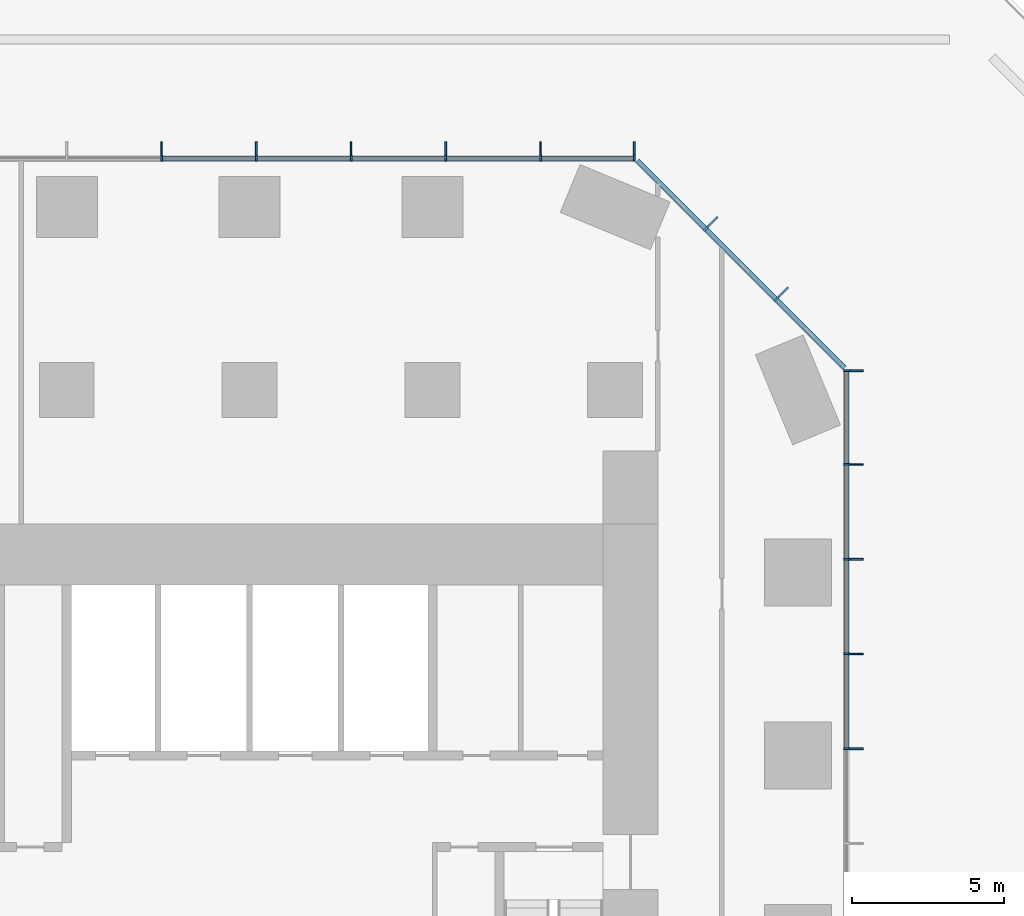
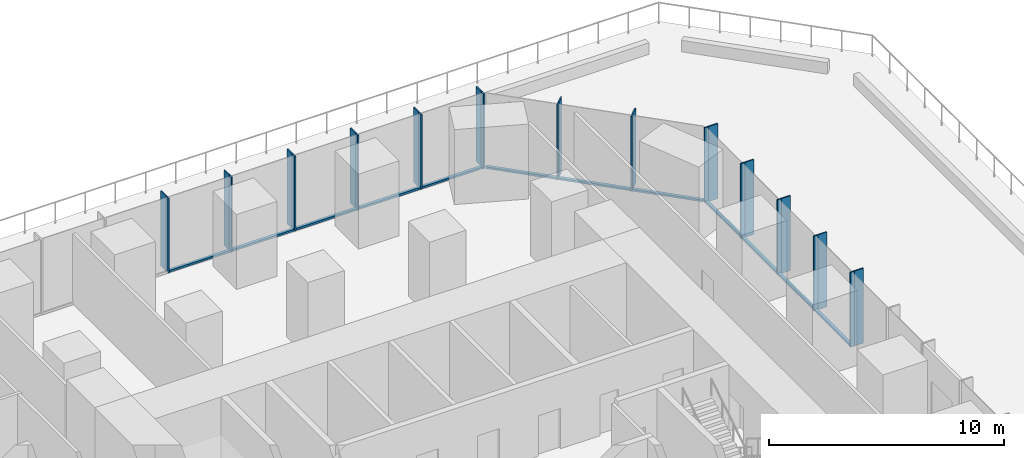
# One storey, part 6 of 11: 38 members, 3 elements without a shape of their own.
"""IFC4 building model written with IfcOpenShell, lengths in metres."""

from ifc_helpers import new_model, si_unit, direction, frame, origin, origin_2d, place, context, subcontext, project, spatial, rectangle, extrude, material, layer, layer_set, material_profile, profile_set, type_object, element, aggregate, save


model = new_model("IFC4")

# Units and contexts
model_context = context("Model", 3, precision=1e-05, world=origin(), true_north=direction((0.0, 1.0)))
body_context = subcontext(model_context, "Body", "Model", "MODEL_VIEW")
ifc_project = project(units=[si_unit("LENGTHUNIT", "METRE"), si_unit("AREAUNIT", "SQUARE_METRE"), si_unit("VOLUMEUNIT", "CUBIC_METRE"), si_unit("PLANEANGLEUNIT", "RADIAN"), si_unit("MASSUNIT", "GRAM", prefix="KILO")], contexts=[model_context])

# Site, building, storey
site_placement = place(None, origin())
site = spatial("IfcSite", under=ifc_project, at=site_placement, CompositionType="ELEMENT")
building_placement = place(site_placement, origin())
building = spatial("IfcBuilding", under=site, at=building_placement, Name="Highveld Stack Headquarters", CompositionType="ELEMENT")
storey_placement = place(building_placement, frame((0.0, 0.0, 18.199951171875)))
storey = spatial("IfcBuildingStorey", under=building, at=storey_placement, Name="L03", CompositionType="ELEMENT", Elevation=18.199951171875)

# Curtain wall, members
ifc_material_1 = material(Name="Aluminium bronze anodised", Category="aluminium")
ifc_layer_1 = layer(ifc_material_1, 0.199951171875)
ifc_layer_set_1 = layer_set([ifc_layer_1], Name="Aluminium bronze anodised")
curtain_wall_type_1 = type_object("IfcCurtainWallType", Name="CW1 TOWER UNITISED CURTAIN WALL", PredefinedType="NOTDEFINED", material=ifc_layer_set_1)
curtain_wall_1_placement = place(storey_placement, origin())
curtain_wall_1 = element("IfcCurtainWall", 1, at=curtain_wall_1_placement, inside=storey, type_object=curtain_wall_type_1, Name="Curtain wall CW1 L03 E-2", PredefinedType="NOTDEFINED")
ifc_material_2 = material(Name="Aluminium bronze anodised", Category="aluminium")
ifc_material_profile_1 = material_profile(ifc_material_2, rectangle(XDim=0.449951171875, YDim=0.06005859375, at=origin_2d()), Name="FIN 450x60")
ifc_profile_set_1 = profile_set([ifc_material_profile_1], Name="Aluminium bronze anodised")
member_type_1 = type_object("IfcMemberType", Name="CW1 BRONZE FIN 450x60", PredefinedType="USERDEFINED", material=ifc_profile_set_1)
member_1_placement = place(storey_placement, frame((25.925048828125, 6.220947265625, 0.0), z_axis=(0.0, 0.0, 1.0), x_axis=(-1.0, 0.0, 0.0)))
member_1 = element("IfcMember", 2, at=member_1_placement, type_object=member_type_1, Name="CW1 fin L03 3", ObjectType="FIN", PredefinedType="USERDEFINED", context=body_context, shape_type="SweptSolid", body=[
    extrude(rectangle(XDim=0.449951171875, YDim=0.06005859375, at=origin_2d()), origin(), (0.0, 0.0, 1.0), 3.900146484375),
])
member_2_placement = place(storey_placement, frame((25.925048828125, 9.331298828125, 0.0), z_axis=(0.0, 0.0, 1.0), x_axis=(-1.0, 0.0, 0.0)))
member_2 = element("IfcMember", 3, at=member_2_placement, type_object=member_type_1, Name="CW1 fin L03 4", ObjectType="FIN", PredefinedType="USERDEFINED", context=body_context, shape_type="SweptSolid", body=[
    extrude(rectangle(XDim=0.449951171875, YDim=0.06005859375, at=origin_2d()), origin(), (0.0, 0.0, 1.0), 3.900146484375),
])
member_3_placement = place(storey_placement, frame((25.925048828125, 12.44189453125, 0.0), z_axis=(0.0, 0.0, 1.0), x_axis=(-1.0, 0.0, 0.0)))
member_3 = element("IfcMember", 4, at=member_3_placement, type_object=member_type_1, Name="CW1 fin L03 5", ObjectType="FIN", PredefinedType="USERDEFINED", context=body_context, shape_type="SweptSolid", body=[
    extrude(rectangle(XDim=0.449951171875, YDim=0.06005859375, at=origin_2d()), origin(), (0.0, 0.0, 1.0), 3.900146484375),
])
member_4_placement = place(storey_placement, frame((25.925048828125, 15.55224609375, 0.0), z_axis=(0.0, 0.0, 1.0), x_axis=(-1.0, 0.0, 0.0)))
member_4 = element("IfcMember", 5, at=member_4_placement, type_object=member_type_1, Name="CW1 fin L03 6", ObjectType="FIN", PredefinedType="USERDEFINED", context=body_context, shape_type="SweptSolid", body=[
    extrude(rectangle(XDim=0.449951171875, YDim=0.06005859375, at=origin_2d()), origin(), (0.0, 0.0, 1.0), 3.900146484375),
])
member_5_placement = place(storey_placement, frame((25.925048828125, 18.630126953125, 0.0), z_axis=(0.0, 0.0, 1.0), x_axis=(-1.0, 0.0, 0.0)))
member_5 = element("IfcMember", 6, at=member_5_placement, type_object=member_type_1, Name="CW1 fin L03 7", ObjectType="FIN", PredefinedType="USERDEFINED", context=body_context, shape_type="SweptSolid", body=[
    extrude(rectangle(XDim=0.449951171875, YDim=0.06005859375, at=origin_2d()), origin(), (0.0, 0.0, 1.0), 3.900146484375),
])

curtain_wall_2_placement = place(storey_placement, origin())
curtain_wall_2 = element("IfcCurtainWall", 7, at=curtain_wall_2_placement, inside=storey, type_object=curtain_wall_type_1, Name="Curtain wall CW1 L03 N", PredefinedType="NOTDEFINED")
member_6_placement = place(storey_placement, frame((18.630126953125, 25.925048828125, 0.0), z_axis=(0.0, 0.0, 1.0), x_axis=(0.0, -1.0, 0.0)))
member_6 = element("IfcMember", 8, at=member_6_placement, type_object=member_type_1, Name="CW1 fin L03 1", ObjectType="FIN", PredefinedType="USERDEFINED", context=body_context, shape_type="SweptSolid", body=[
    extrude(rectangle(XDim=0.449951171875, YDim=0.06005859375, at=origin_2d()), origin(), (0.0, 0.0, 1.0), 3.900146484375),
])
member_7_placement = place(storey_placement, frame((15.55224609375, 25.925048828125, 0.0), z_axis=(0.0, 0.0, 1.0), x_axis=(0.0, -1.0, 0.0)))
member_7 = element("IfcMember", 9, at=member_7_placement, type_object=member_type_1, Name="CW1 fin L03 2", ObjectType="FIN", PredefinedType="USERDEFINED", context=body_context, shape_type="SweptSolid", body=[
    extrude(rectangle(XDim=0.449951171875, YDim=0.06005859375, at=origin_2d()), origin(), (0.0, 0.0, 1.0), 3.900146484375),
])
member_8_placement = place(storey_placement, frame((12.44189453125, 25.925048828125, 0.0), z_axis=(0.0, 0.0, 1.0), x_axis=(0.0, -1.0, 0.0)))
member_8 = element("IfcMember", 10, at=member_8_placement, type_object=member_type_1, Name="CW1 fin L03 3", ObjectType="FIN", PredefinedType="USERDEFINED", context=body_context, shape_type="SweptSolid", body=[
    extrude(rectangle(XDim=0.449951171875, YDim=0.06005859375, at=origin_2d()), origin(), (0.0, 0.0, 1.0), 3.900146484375),
])
member_9_placement = place(storey_placement, frame((9.331298828125, 25.925048828125, 0.0), z_axis=(0.0, 0.0, 1.0), x_axis=(0.0, -1.0, 0.0)))
member_9 = element("IfcMember", 11, at=member_9_placement, type_object=member_type_1, Name="CW1 fin L03 4", ObjectType="FIN", PredefinedType="USERDEFINED", context=body_context, shape_type="SweptSolid", body=[
    extrude(rectangle(XDim=0.449951171875, YDim=0.06005859375, at=origin_2d()), origin(), (0.0, 0.0, 1.0), 3.900146484375),
])
member_10_placement = place(storey_placement, frame((6.220947265625, 25.925048828125, 0.0), z_axis=(0.0, 0.0, 1.0), x_axis=(0.0, -1.0, 0.0)))
member_10 = element("IfcMember", 12, at=member_10_placement, type_object=member_type_1, Name="CW1 fin L03 5", ObjectType="FIN", PredefinedType="USERDEFINED", context=body_context, shape_type="SweptSolid", body=[
    extrude(rectangle(XDim=0.449951171875, YDim=0.06005859375, at=origin_2d()), origin(), (0.0, 0.0, 1.0), 3.900146484375),
])
member_11_placement = place(storey_placement, frame((3.110595703125, 25.925048828125, 0.0), z_axis=(0.0, 0.0, 1.0), x_axis=(0.0, -1.0, 0.0)))
member_11 = element("IfcMember", 13, at=member_11_placement, type_object=member_type_1, Name="CW1 fin L03 6", ObjectType="FIN", PredefinedType="USERDEFINED", context=body_context, shape_type="SweptSolid", body=[
    extrude(rectangle(XDim=0.449951171875, YDim=0.06005859375, at=origin_2d()), origin(), (0.0, 0.0, 1.0), 3.900146484375),
])

# Member
ifc_material_3 = material(Name="Aluminium bronze anodised", Category="aluminium")
ifc_material_profile_2 = material_profile(ifc_material_3, rectangle(XDim=0.199951171875, YDim=0.06494140625, at=origin_2d()), Name="CW1 MULLION 65x200")
ifc_profile_set_2 = profile_set([ifc_material_profile_2], Name="Aluminium bronze anodised")
member_type_2 = type_object("IfcMemberType", Name="CW1 MULLION 65x200", PredefinedType="MULLION", material=ifc_profile_set_2)
member_12_placement = place(storey_placement, frame((25.60009765625, 6.220947265625, 0.0), z_axis=(0.0, 0.0, 1.0), x_axis=(-1.0, 0.0, 0.0)))
member_12 = element("IfcMember", 14, at=member_12_placement, type_object=member_type_2, Name="CW1 mullion L03 3", PredefinedType="MULLION", context=body_context, shape_type="SweptSolid", body=[
    extrude(rectangle(XDim=0.199951171875, YDim=0.06494140625, at=origin_2d()), origin(), (0.0, 0.0, 1.0), 3.900146484375),
])

member_13_placement = place(storey_placement, frame((25.60009765625, 9.331298828125, 0.0), z_axis=(0.0, 0.0, 1.0), x_axis=(-1.0, 0.0, 0.0)))
member_13 = element("IfcMember", 15, at=member_13_placement, type_object=member_type_2, Name="CW1 mullion L03 4", PredefinedType="MULLION", context=body_context, shape_type="SweptSolid", body=[
    extrude(rectangle(XDim=0.199951171875, YDim=0.06494140625, at=origin_2d()), origin(), (0.0, 0.0, 1.0), 3.900146484375),
])

member_14_placement = place(storey_placement, frame((25.60009765625, 12.44189453125, 0.0), z_axis=(0.0, 0.0, 1.0), x_axis=(-1.0, 0.0, 0.0)))
member_14 = element("IfcMember", 16, at=member_14_placement, type_object=member_type_2, Name="CW1 mullion L03 5", PredefinedType="MULLION", context=body_context, shape_type="SweptSolid", body=[
    extrude(rectangle(XDim=0.199951171875, YDim=0.06494140625, at=origin_2d()), origin(), (0.0, 0.0, 1.0), 3.900146484375),
])

member_15_placement = place(storey_placement, frame((25.60009765625, 15.55224609375, 0.0), z_axis=(0.0, 0.0, 1.0), x_axis=(-1.0, 0.0, 0.0)))
member_15 = element("IfcMember", 17, at=member_15_placement, type_object=member_type_2, Name="CW1 mullion L03 6", PredefinedType="MULLION", context=body_context, shape_type="SweptSolid", body=[
    extrude(rectangle(XDim=0.199951171875, YDim=0.06494140625, at=origin_2d()), origin(), (0.0, 0.0, 1.0), 3.900146484375),
])

member_16_placement = place(storey_placement, frame((25.60009765625, 18.630126953125, 0.0), z_axis=(0.0, 0.0, 1.0), x_axis=(-1.0, 0.0, 0.0)))
member_16 = element("IfcMember", 18, at=member_16_placement, type_object=member_type_2, Name="CW1 mullion L03 7", PredefinedType="MULLION", context=body_context, shape_type="SweptSolid", body=[
    extrude(rectangle(XDim=0.199951171875, YDim=0.06494140625, at=origin_2d()), origin(), (0.0, 0.0, 1.0), 3.900146484375),
])

member_17_placement = place(storey_placement, frame((18.630126953125, 25.60009765625, 0.0), z_axis=(0.0, 0.0, 1.0), x_axis=(0.0, -1.0, 0.0)))
member_17 = element("IfcMember", 19, at=member_17_placement, type_object=member_type_2, Name="CW1 mullion L03 1", PredefinedType="MULLION", context=body_context, shape_type="SweptSolid", body=[
    extrude(rectangle(XDim=0.199951171875, YDim=0.06494140625, at=origin_2d()), origin(), (0.0, 0.0, 1.0), 3.900146484375),
])

member_18_placement = place(storey_placement, frame((15.55224609375, 25.60009765625, 0.0), z_axis=(0.0, 0.0, 1.0), x_axis=(0.0, -1.0, 0.0)))
member_18 = element("IfcMember", 20, at=member_18_placement, type_object=member_type_2, Name="CW1 mullion L03 2", PredefinedType="MULLION", context=body_context, shape_type="SweptSolid", body=[
    extrude(rectangle(XDim=0.199951171875, YDim=0.06494140625, at=origin_2d()), origin(), (0.0, 0.0, 1.0), 3.900146484375),
])

member_19_placement = place(storey_placement, frame((12.44189453125, 25.60009765625, 0.0), z_axis=(0.0, 0.0, 1.0), x_axis=(0.0, -1.0, 0.0)))
member_19 = element("IfcMember", 21, at=member_19_placement, type_object=member_type_2, Name="CW1 mullion L03 3", PredefinedType="MULLION", context=body_context, shape_type="SweptSolid", body=[
    extrude(rectangle(XDim=0.199951171875, YDim=0.06494140625, at=origin_2d()), origin(), (0.0, 0.0, 1.0), 3.900146484375),
])

member_20_placement = place(storey_placement, frame((9.331298828125, 25.60009765625, 0.0), z_axis=(0.0, 0.0, 1.0), x_axis=(0.0, -1.0, 0.0)))
member_20 = element("IfcMember", 22, at=member_20_placement, type_object=member_type_2, Name="CW1 mullion L03 4", PredefinedType="MULLION", context=body_context, shape_type="SweptSolid", body=[
    extrude(rectangle(XDim=0.199951171875, YDim=0.06494140625, at=origin_2d()), origin(), (0.0, 0.0, 1.0), 3.900146484375),
])

member_21_placement = place(storey_placement, frame((6.220947265625, 25.60009765625, 0.0), z_axis=(0.0, 0.0, 1.0), x_axis=(0.0, -1.0, 0.0)))
member_21 = element("IfcMember", 23, at=member_21_placement, type_object=member_type_2, Name="CW1 mullion L03 5", PredefinedType="MULLION", context=body_context, shape_type="SweptSolid", body=[
    extrude(rectangle(XDim=0.199951171875, YDim=0.06494140625, at=origin_2d()), origin(), (0.0, 0.0, 1.0), 3.900146484375),
])

member_22_placement = place(storey_placement, frame((3.110595703125, 25.60009765625, 0.0), z_axis=(0.0, 0.0, 1.0), x_axis=(0.0, -1.0, 0.0)))
member_22 = element("IfcMember", 24, at=member_22_placement, type_object=member_type_2, Name="CW1 mullion L03 6", PredefinedType="MULLION", context=body_context, shape_type="SweptSolid", body=[
    extrude(rectangle(XDim=0.199951171875, YDim=0.06494140625, at=origin_2d()), origin(), (0.0, 0.0, 1.0), 3.900146484375),
])

ifc_material_4 = material(Name="Aluminium bronze anodised", Category="aluminium")
ifc_material_profile_3 = material_profile(ifc_material_4, rectangle(XDim=0.14990234375, YDim=0.10009765625, at=origin_2d()), Name="CW1 TRANSOM 150x100")
ifc_profile_set_3 = profile_set([ifc_material_profile_3], Name="Aluminium bronze anodised")
member_type_3 = type_object("IfcMemberType", Name="CW1 STACK TRANSOM 150x100", PredefinedType="USERDEFINED", material=ifc_profile_set_3)
member_23_placement = place(storey_placement, frame((25.60009765625, 6.25341796875, 0.050048828125), z_axis=(0.0, 1.0, 0.0), x_axis=(-1.0, 0.0, 0.0)))
member_23 = element("IfcMember", 25, at=member_23_placement, type_object=member_type_3, Name="CW1 transom L03 9.1", ObjectType="TRANSOM", PredefinedType="USERDEFINED", context=body_context, shape_type="SweptSolid", body=[
    extrude(rectangle(XDim=0.14990234375, YDim=0.10009765625, at=origin_2d()), origin(), (0.0, 0.0, 1.0), 3.04541015625),
])

member_24_placement = place(storey_placement, frame((25.60009765625, 9.36376953125, 0.050048828125), z_axis=(0.0, 1.0, 0.0), x_axis=(-1.0, 0.0, 0.0)))
member_24 = element("IfcMember", 26, at=member_24_placement, type_object=member_type_3, Name="CW1 transom L03 10.1", ObjectType="TRANSOM", PredefinedType="USERDEFINED", context=body_context, shape_type="SweptSolid", body=[
    extrude(rectangle(XDim=0.14990234375, YDim=0.10009765625, at=origin_2d()), origin(), (0.0, 0.0, 1.0), 3.04541015625),
])

member_25_placement = place(storey_placement, frame((25.60009765625, 12.474365234375, 0.050048828125), z_axis=(0.0, 1.0, 0.0), x_axis=(-1.0, 0.0, 0.0)))
member_25 = element("IfcMember", 27, at=member_25_placement, type_object=member_type_3, Name="CW1 transom L03 11.1", ObjectType="TRANSOM", PredefinedType="USERDEFINED", context=body_context, shape_type="SweptSolid", body=[
    extrude(rectangle(XDim=0.14990234375, YDim=0.10009765625, at=origin_2d()), origin(), (0.0, 0.0, 1.0), 3.04541015625),
])

member_26_placement = place(storey_placement, frame((25.60009765625, 15.584716796875, 0.050048828125), z_axis=(0.0, 1.0, 0.0), x_axis=(-1.0, 0.0, 0.0)))
member_26 = element("IfcMember", 28, at=member_26_placement, type_object=member_type_3, Name="CW1 transom L03 12.1", ObjectType="TRANSOM", PredefinedType="USERDEFINED", context=body_context, shape_type="SweptSolid", body=[
    extrude(rectangle(XDim=0.14990234375, YDim=0.10009765625, at=origin_2d()), origin(), (0.0, 0.0, 1.0), 3.012939453125),
])

aggregate(curtain_wall_1, [member_12, member_1, member_13, member_2, member_14, member_3, member_15, member_4, member_16, member_5, member_23, member_24, member_25, member_26])

member_27_placement = place(storey_placement, frame((18.59765625, 25.60009765625, 0.050048828125), z_axis=(-1.0, 0.0, 0.0), x_axis=(0.0, -1.0, 0.0)))
member_27 = element("IfcMember", 29, at=member_27_placement, type_object=member_type_3, Name="CW1 transom L03 1.1", ObjectType="TRANSOM", PredefinedType="USERDEFINED", context=body_context, shape_type="SweptSolid", body=[
    extrude(rectangle(XDim=0.14990234375, YDim=0.10009765625, at=origin_2d()), origin(), (0.0, 0.0, 1.0), 3.012939453125),
])

member_28_placement = place(storey_placement, frame((15.519775390625, 25.60009765625, 0.050048828125), z_axis=(-1.0, 0.0, 0.0), x_axis=(0.0, -1.0, 0.0)))
member_28 = element("IfcMember", 30, at=member_28_placement, type_object=member_type_3, Name="CW1 transom L03 2.1", ObjectType="TRANSOM", PredefinedType="USERDEFINED", context=body_context, shape_type="SweptSolid", body=[
    extrude(rectangle(XDim=0.14990234375, YDim=0.10009765625, at=origin_2d()), origin(), (0.0, 0.0, 1.0), 3.04541015625),
])

member_29_placement = place(storey_placement, frame((12.4091796875, 25.60009765625, 0.050048828125), z_axis=(-1.0, 0.0, 0.0), x_axis=(0.0, -1.0, 0.0)))
member_29 = element("IfcMember", 31, at=member_29_placement, type_object=member_type_3, Name="CW1 transom L03 3.1", ObjectType="TRANSOM", PredefinedType="USERDEFINED", context=body_context, shape_type="SweptSolid", body=[
    extrude(rectangle(XDim=0.14990234375, YDim=0.10009765625, at=origin_2d()), origin(), (0.0, 0.0, 1.0), 3.045166015625),
])

member_30_placement = place(storey_placement, frame((9.298828125, 25.60009765625, 0.050048828125), z_axis=(-1.0, 0.0, 0.0), x_axis=(0.0, -1.0, 0.0)))
member_30 = element("IfcMember", 32, at=member_30_placement, type_object=member_type_3, Name="CW1 transom L03 4.1", ObjectType="TRANSOM", PredefinedType="USERDEFINED", context=body_context, shape_type="SweptSolid", body=[
    extrude(rectangle(XDim=0.14990234375, YDim=0.10009765625, at=origin_2d()), origin(), (0.0, 0.0, 1.0), 3.04541015625),
])

member_31_placement = place(storey_placement, frame((6.1884765625, 25.60009765625, 0.050048828125), z_axis=(-1.0, 0.0, 0.0), x_axis=(0.0, -1.0, 0.0)))
member_31 = element("IfcMember", 33, at=member_31_placement, type_object=member_type_3, Name="CW1 transom L03 5.1", ObjectType="TRANSOM", PredefinedType="USERDEFINED", context=body_context, shape_type="SweptSolid", body=[
    extrude(rectangle(XDim=0.14990234375, YDim=0.10009765625, at=origin_2d()), origin(), (0.0, 0.0, 1.0), 3.04541015625),
])

aggregate(curtain_wall_2, [member_17, member_6, member_18, member_7, member_19, member_8, member_20, member_9, member_21, member_10, member_22, member_11, member_27, member_28, member_29, member_30, member_31])

# Curtain wall, members
ifc_material_5 = material(Name="Aluminium bronze anodised", Category="aluminium")
ifc_layer_2 = layer(ifc_material_5, 0.199951171875)
ifc_layer_set_2 = layer_set([ifc_layer_2], Name="Aluminium bronze anodised")
curtain_wall_type_2 = type_object("IfcCurtainWallType", Name="CW2 TOWER CHAMFER UNITISED CURTAIN WALL", PredefinedType="NOTDEFINED", material=ifc_layer_set_2)
curtain_wall_3_placement = place(storey_placement, origin())
curtain_wall_3 = element("IfcCurtainWall", 34, at=curtain_wall_3_placement, inside=storey, type_object=curtain_wall_type_2, Name="Curtain wall CW2 L03 NE", PredefinedType="NOTDEFINED")
ifc_material_6 = material(Name="Aluminium bronze anodised", Category="aluminium")
ifc_material_profile_4 = material_profile(ifc_material_6, rectangle(XDim=0.449951171875, YDim=0.06005859375, at=origin_2d()), Name="FIN 450x60")
ifc_profile_set_4 = profile_set([ifc_material_profile_4], Name="Aluminium bronze anodised")
member_type_4 = type_object("IfcMemberType", Name="CW2 BRONZE FIN 450x60", PredefinedType="USERDEFINED", material=ifc_profile_set_4)
member_32_placement = place(storey_placement, frame((23.517333984375, 21.204833984375, 0.0), z_axis=(0.0, 0.0, 1.0), x_axis=(-0.707106781187, -0.707106781187, 0.0)))
member_32 = element("IfcMember", 35, at=member_32_placement, type_object=member_type_4, Name="CW2 fin L03 1", ObjectType="FIN", PredefinedType="USERDEFINED", context=body_context, shape_type="SweptSolid", body=[
    extrude(rectangle(XDim=0.449951171875, YDim=0.06005859375, at=origin_2d()), origin(), (0.0, 0.0, 1.0), 3.900146484375),
])
member_33_placement = place(storey_placement, frame((21.204833984375, 23.517333984375, 0.0), z_axis=(0.0, 0.0, 1.0), x_axis=(-0.707106781187, -0.707106781187, 0.0)))
member_33 = element("IfcMember", 36, at=member_33_placement, type_object=member_type_4, Name="CW2 fin L03 2", ObjectType="FIN", PredefinedType="USERDEFINED", context=body_context, shape_type="SweptSolid", body=[
    extrude(rectangle(XDim=0.449951171875, YDim=0.06005859375, at=origin_2d()), origin(), (0.0, 0.0, 1.0), 3.900146484375),
])
ifc_material_7 = material(Name="Aluminium bronze anodised", Category="aluminium")
ifc_material_profile_5 = material_profile(ifc_material_7, rectangle(XDim=0.199951171875, YDim=0.06494140625, at=origin_2d()), Name="CW2 MULLION 65x200")
ifc_profile_set_5 = profile_set([ifc_material_profile_5], Name="Aluminium bronze anodised")
member_type_5 = type_object("IfcMemberType", Name="CW2 MULLION 65x200", PredefinedType="MULLION", material=ifc_profile_set_5)
member_34_placement = place(storey_placement, frame((23.28759765625, 20.97509765625, 0.0), z_axis=(0.0, 0.0, 1.0), x_axis=(-0.707106781187, -0.707106781187, 0.0)))
member_34 = element("IfcMember", 37, at=member_34_placement, type_object=member_type_5, Name="CW2 mullion L03 1", PredefinedType="MULLION", context=body_context, shape_type="SweptSolid", body=[
    extrude(rectangle(XDim=0.199951171875, YDim=0.06494140625, at=origin_2d()), origin(), (0.0, 0.0, 1.0), 3.900146484375),
])
member_35_placement = place(storey_placement, frame((20.97509765625, 23.28759765625, 0.0), z_axis=(0.0, 0.0, 1.0), x_axis=(-0.707106781187, -0.707106781187, 0.0)))
member_35 = element("IfcMember", 38, at=member_35_placement, type_object=member_type_5, Name="CW2 mullion L03 2", PredefinedType="MULLION", context=body_context, shape_type="SweptSolid", body=[
    extrude(rectangle(XDim=0.199951171875, YDim=0.06494140625, at=origin_2d()), origin(), (0.0, 0.0, 1.0), 3.900146484375),
])
ifc_material_8 = material(Name="Aluminium bronze anodised", Category="aluminium")
ifc_material_profile_6 = material_profile(ifc_material_8, rectangle(XDim=0.14990234375, YDim=0.10009765625, at=origin_2d()), Name="CW2 TRANSOM 150x100")
ifc_profile_set_6 = profile_set([ifc_material_profile_6], Name="Aluminium bronze anodised")
member_type_6 = type_object("IfcMemberType", Name="CW2 STACK TRANSOM 150x100", PredefinedType="USERDEFINED", material=ifc_profile_set_6)
member_36_placement = place(storey_placement, frame((25.529296875, 18.7333984375, 0.050048828125), z_axis=(-0.707106781187, 0.707106781187, 0.0), x_axis=(-0.707106781187, -0.707106781187, 0.0)))
member_36 = element("IfcMember", 39, at=member_36_placement, type_object=member_type_6, Name="CW2 transom L03 1.1", ObjectType="TRANSOM", PredefinedType="USERDEFINED", context=body_context, shape_type="SweptSolid", body=[
    extrude(rectangle(XDim=0.14990234375, YDim=0.10009765625, at=origin_2d()), origin(), (0.0, 0.0, 1.0), 3.1376953125),
])
member_37_placement = place(storey_placement, frame((23.2646484375, 20.998046875, 0.050048828125), z_axis=(-0.707106781187, 0.707106781187, 0.0), x_axis=(-0.707106781187, -0.707106781187, 0.0)))
member_37 = element("IfcMember", 40, at=member_37_placement, type_object=member_type_6, Name="CW2 transom L03 2.1", ObjectType="TRANSOM", PredefinedType="USERDEFINED", context=body_context, shape_type="SweptSolid", body=[
    extrude(rectangle(XDim=0.14990234375, YDim=0.10009765625, at=origin_2d()), origin(), (0.0, 0.0, 1.0), 3.20556640625),
])
member_38_placement = place(storey_placement, frame((20.9521484375, 23.310546875, 0.050048828125), z_axis=(-0.707106781187, 0.707106781187, 0.0), x_axis=(-0.707106781187, -0.707106781187, 0.0)))
member_38 = element("IfcMember", 41, at=member_38_placement, type_object=member_type_6, Name="CW2 transom L03 3.1", ObjectType="TRANSOM", PredefinedType="USERDEFINED", context=body_context, shape_type="SweptSolid", body=[
    extrude(rectangle(XDim=0.14990234375, YDim=0.10009765625, at=origin_2d()), origin(), (0.0, 0.0, 1.0), 3.1376953125),
])
aggregate(curtain_wall_3, [member_34, member_32, member_35, member_33, member_36, member_37, member_38])

save(model, "model.ifc")
